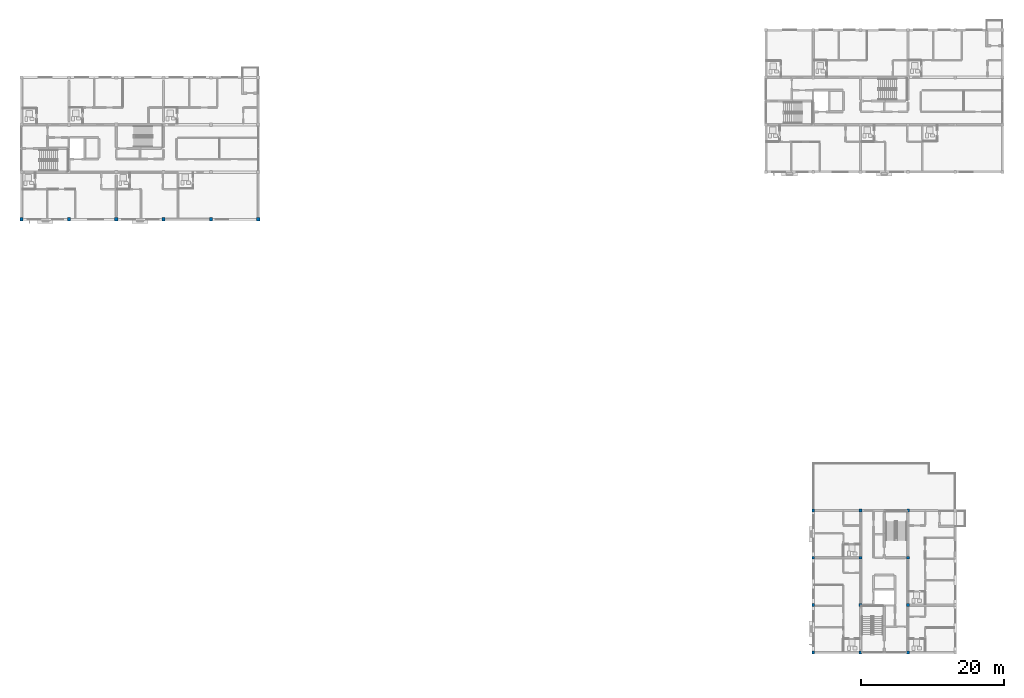
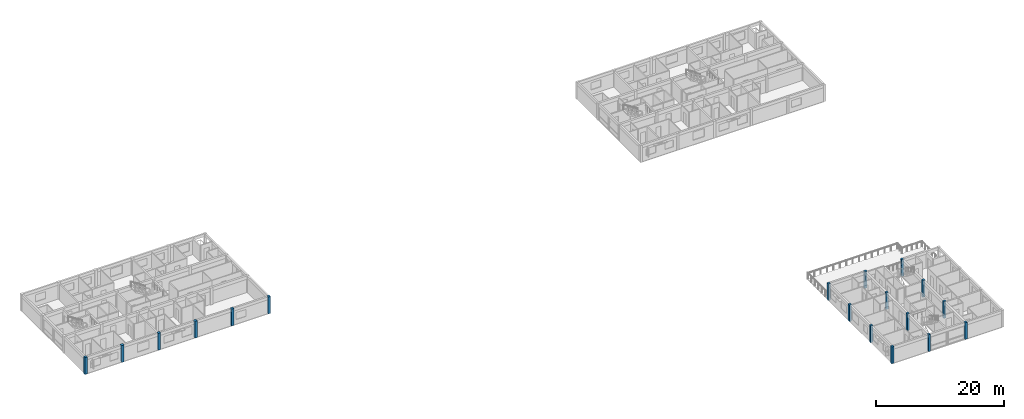
# One storey, part 1 of 37: 18 columns.
"""IFC4 building model written with IfcOpenShell, lengths in metres."""

from ifc_helpers import new_model, si_unit, direction, frame, origin, origin_2d, place, context, subcontext, project, spatial, rectangle, extrude, material, material_profile, profile_set, type_object, element, save


model = new_model("IFC4")

# Units and contexts
model_context = context("Model", 3, precision=1e-05, world=origin(), true_north=direction((0.0, 1.0)))
body_context = subcontext(model_context, "Body", "Model", "MODEL_VIEW")
ifc_project = project(units=[si_unit("LENGTHUNIT", "METRE"), si_unit("AREAUNIT", "SQUARE_METRE"), si_unit("VOLUMEUNIT", "CUBIC_METRE"), si_unit("PLANEANGLEUNIT", "RADIAN"), si_unit("MASSUNIT", "GRAM", prefix="KILO")], contexts=[model_context])

# Site, building, storey
site_placement = place(None, origin())
site = spatial("IfcSite", under=ifc_project, at=site_placement, CompositionType="ELEMENT")
building_placement = place(site_placement, origin())
building = spatial("IfcBuilding", under=site, at=building_placement, Name="Kernevlak Ridge Housing Community", CompositionType="ELEMENT")
storey_placement = place(building_placement, frame((0.0, 0.0, 37.199951171875)))
storey = spatial("IfcBuildingStorey", under=building, at=storey_placement, Name="L11", CompositionType="ELEMENT", Elevation=37.199951171875)

# Columns
ifc_material = material(Name="Concrete C35/45", Category="concrete")
ifc_material_profile_1 = material_profile(ifc_material, rectangle(XDim=0.449951171875, YDim=0.449951171875, at=origin_2d()), Name="RC 450x450")
ifc_profile_set_1 = profile_set([ifc_material_profile_1], Name="Concrete C35/45")
column_type_1 = type_object("IfcColumnType", Name="C-04", PredefinedType="COLUMN", material=ifc_profile_set_1)
for number, where, z_axis, x_axis, name in (
    (1, (15.60009765625, 76.0, 0.0), (0.0, 0.0, 1.0), (1.0, 0.0, 0.0), "Column C-04 COL-A-L11-00-0"),
    (2, (22.199951171875, 76.0, 0.0), (0.0, 0.0, 1.0), (1.0, 0.0, 0.0), "Column C-04 COL-A-L11-01-0"),
    (3, (28.800048828125, 76.0, 0.0), (0.0, 0.0, 1.0), (1.0, 0.0, 0.0), "Column C-04 COL-A-L11-02-0"),
    (4, (35.39990234375, 76.0, 0.0), (0.0, 0.0, 1.0), (1.0, 0.0, 0.0), "Column C-04 COL-A-L11-03-0"),
    (5, (42.0, 76.0, 0.0), (0.0, 0.0, 1.0), (1.0, 0.0, 0.0), "Column C-04 COL-A-L11-04-0"),
    (6, (48.60009765625, 76.0, 0.0), (0.0, 0.0, 1.0), (1.0, 0.0, 0.0), "Column C-04 COL-A-L11-05-0"),
):
    element("IfcColumn", number, at=place(storey_placement, frame(where, z_axis=z_axis, x_axis=x_axis)), inside=storey, type_object=column_type_1, Name=name, PredefinedType="COLUMN", context=body_context, shape_type="SweptSolid", body=[
        extrude(rectangle(XDim=0.449951171875, YDim=0.449951171875, at=origin_2d()), origin(), (0.0, 0.0, 1.0), 3.199951171875),
    ])
ifc_material_profile_2 = material_profile(ifc_material, rectangle(XDim=0.39990234375, YDim=0.39990234375, at=origin_2d()), Name="RC 400x400")
ifc_profile_set_2 = profile_set([ifc_material_profile_2], Name="Concrete C35/45")
column_type_2 = type_object("IfcColumnType", Name="C-05", PredefinedType="COLUMN", material=ifc_profile_set_2)
for number, where, z_axis, x_axis, name in (
    (7, (126.0, 15.60009765625, 0.0), (0.0, 0.0, 1.0), (1.0, 0.0, 0.0), "Column C-05 COL-C-L11-00-0"),
    (8, (132.60009765625, 15.60009765625, 0.0), (0.0, 0.0, 1.0), (1.0, 0.0, 0.0), "Column C-05 COL-C-L11-00-1"),
    (9, (139.199951171875, 15.60009765625, 0.0), (0.0, 0.0, 1.0), (1.0, 0.0, 0.0), "Column C-05 COL-C-L11-00-2"),
    (10, (126.0, 22.199951171875, 0.0), (0.0, 0.0, 1.0), (1.0, 0.0, 0.0), "Column C-05 COL-C-L11-01-0"),
    (11, (132.60009765625, 22.199951171875, 0.0), (0.0, 0.0, 1.0), (1.0, 0.0, 0.0), "Column C-05 COL-C-L11-01-1"),
    (12, (139.199951171875, 22.199951171875, 0.0), (0.0, 0.0, 1.0), (1.0, 0.0, 0.0), "Column C-05 COL-C-L11-01-2"),
    (13, (126.0, 28.800048828125, 0.0), (0.0, 0.0, 1.0), (1.0, 0.0, 0.0), "Column C-05 COL-C-L11-02-0"),
    (14, (132.60009765625, 28.800048828125, 0.0), (0.0, 0.0, 1.0), (1.0, 0.0, 0.0), "Column C-05 COL-C-L11-02-1"),
    (15, (139.199951171875, 28.800048828125, 0.0), (0.0, 0.0, 1.0), (1.0, 0.0, 0.0), "Column C-05 COL-C-L11-02-2"),
    (16, (126.0, 35.39990234375, 0.0), (0.0, 0.0, 1.0), (1.0, 0.0, 0.0), "Column C-05 COL-C-L11-03-0"),
    (17, (132.60009765625, 35.39990234375, 0.0), (0.0, 0.0, 1.0), (1.0, 0.0, 0.0), "Column C-05 COL-C-L11-03-1"),
    (18, (139.199951171875, 35.39990234375, 0.0), (0.0, 0.0, 1.0), (1.0, 0.0, 0.0), "Column C-05 COL-C-L11-03-2"),
):
    element("IfcColumn", number, at=place(storey_placement, frame(where, z_axis=z_axis, x_axis=x_axis)), inside=storey, type_object=column_type_2, Name=name, PredefinedType="COLUMN", context=body_context, shape_type="SweptSolid", body=[
        extrude(rectangle(XDim=0.39990234375, YDim=0.39990234375, at=origin_2d()), origin(), (0.0, 0.0, 1.0), 3.199951171875),
    ])

save(model, "model.ifc")
